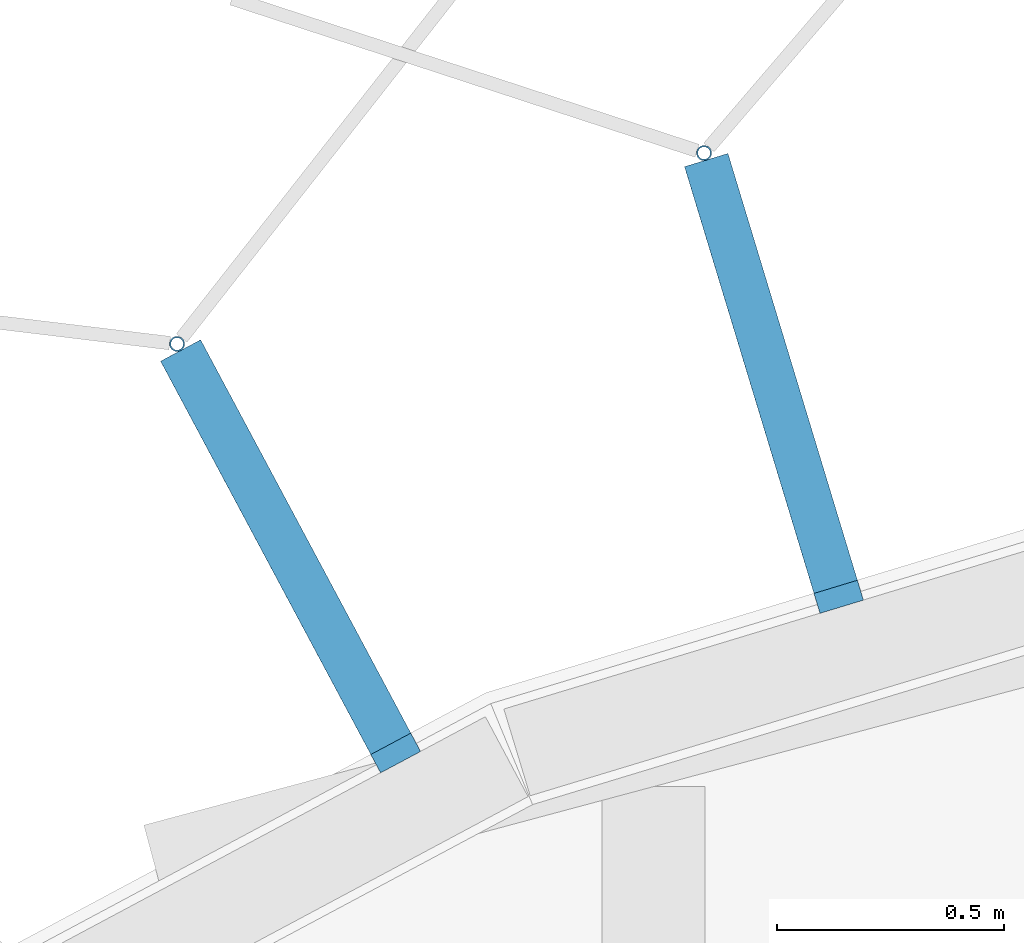
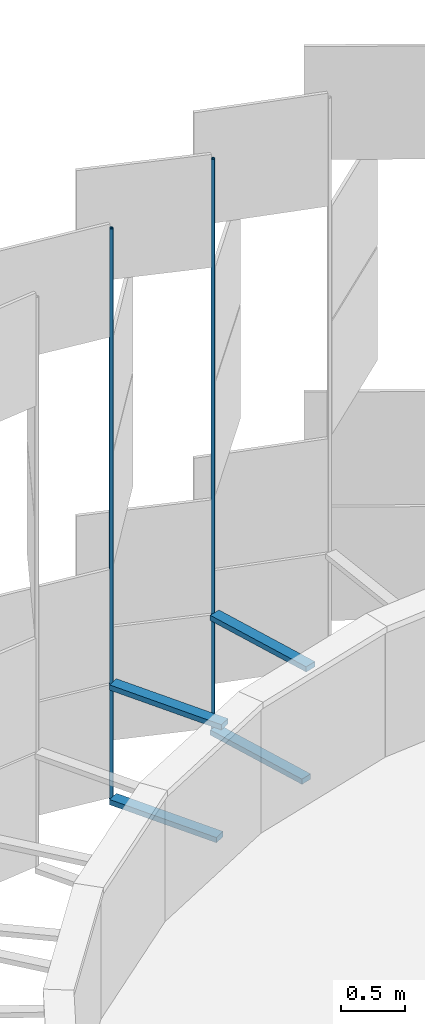
# One storey, part 332 of 483: 6 discrete accessories.
"""IFC4 building model written with IfcOpenShell, lengths in metres."""

from ifc_helpers import new_model, si_unit, direction, frame, origin, origin_2d, place, context, subcontext, project, spatial, rectangle, hollow_circle, extrude, material, material_profile, profile_set, type_object, element, save


model = new_model("IFC4")

# Units and contexts
model_context = context("Model", 3, precision=1e-05, world=origin(), true_north=direction((0.0, 1.0)))
body_context = subcontext(model_context, "Body", "Model", "MODEL_VIEW")
ifc_project = project(units=[si_unit("LENGTHUNIT", "METRE"), si_unit("AREAUNIT", "SQUARE_METRE"), si_unit("VOLUMEUNIT", "CUBIC_METRE"), si_unit("PLANEANGLEUNIT", "RADIAN"), si_unit("MASSUNIT", "GRAM", prefix="KILO")], contexts=[model_context])

# Site, building, storey
site_placement = place(None, origin())
site = spatial("IfcSite", under=ifc_project, at=site_placement, CompositionType="ELEMENT")
building_placement = place(site_placement, origin())
building = spatial("IfcBuilding", under=site, at=building_placement, Name="Parallax Yard Mobility Hub", CompositionType="ELEMENT")
storey_placement = place(building_placement, frame((0.0, 0.0, 13.199951171875)))
storey = spatial("IfcBuildingStorey", under=building, at=storey_placement, Name="L04", CompositionType="ELEMENT", Elevation=13.199951171875)

# Discrete accessories
ifc_material_1 = material(Name="Steel ASTM A36, hot-dip galvanised", Category="steel")
discrete_accessory_type_1 = type_object("IfcDiscreteAccessoryType", Name="Hinge bracket plate 100x50", PredefinedType="BRACKET", material=ifc_material_1)
discrete_accessory_1_placement = place(storey_placement, frame((27.75927734375, 142.6337890625, -0.02490234375), z_axis=(0.0, 0.0, 1.0), x_axis=(-0.290284677254, 0.956940335732, 0.0)))
element("IfcDiscreteAccessory", 1, at=discrete_accessory_1_placement, inside=storey, type_object=discrete_accessory_type_1, Name="Hinge bracket plate bay 70.3 level L04", PredefinedType="BRACKET", context=body_context, shape_type="SweptSolid", body=[
    extrude(rectangle(XDim=0.984130859375, YDim=0.10009765625, at=origin_2d()), origin(), (0.0, 0.0, 1.0), 0.050048828125),
])
discrete_accessory_2_placement = place(storey_placement, frame((27.765869140625, 142.61181640625, 1.06982421875), z_axis=(0.0, 0.0, 1.0), x_axis=(-0.290284677254, 0.956940335732, 0.0)))
element("IfcDiscreteAccessory", 2, at=discrete_accessory_2_placement, inside=storey, type_object=discrete_accessory_type_1, Name="Hinge bracket plate bay 70.3 level L04", PredefinedType="BRACKET", context=body_context, shape_type="SweptSolid", body=[
    extrude(rectangle(XDim=1.030029296875, YDim=0.10009765625, at=origin_2d()), origin(), (0.0, 0.0, 1.0), 0.050048828125),
])
discrete_accessory_3_placement = place(storey_placement, frame((26.6884765625, 142.25048828125, -0.02490234375), z_axis=(0.0, 0.0, 1.0), x_axis=(-0.471396736826, 0.881921264348, 0.0)))
element("IfcDiscreteAccessory", 3, at=discrete_accessory_3_placement, inside=storey, type_object=discrete_accessory_type_1, Name="Hinge bracket plate bay 70.4 level L04", PredefinedType="BRACKET", context=body_context, shape_type="SweptSolid", body=[
    extrude(rectangle(XDim=0.984130859375, YDim=0.10009765625, at=origin_2d()), origin(), (0.0, 0.0, 1.0), 0.050048828125),
])
discrete_accessory_4_placement = place(storey_placement, frame((26.69921875, 142.230224609375, 1.06982421875), z_axis=(0.0, 0.0, 1.0), x_axis=(-0.471396736826, 0.881921264348, 0.0)))
element("IfcDiscreteAccessory", 4, at=discrete_accessory_4_placement, inside=storey, type_object=discrete_accessory_type_1, Name="Hinge bracket plate bay 70.4 level L04", PredefinedType="BRACKET", context=body_context, shape_type="SweptSolid", body=[
    extrude(rectangle(XDim=1.030029296875, YDim=0.10009765625, at=origin_2d()), origin(), (0.0, 0.0, 1.0), 0.050048828125),
])
ifc_material_2 = material(Name="Steel ASTM A500 Gr C, hot-dip galvanised", Category="steel")
ifc_material_profile = material_profile(ifc_material_2, hollow_circle(Radius=0.016845703125, WallThickness=0.003173828125, at=origin_2d()), Name="CHS 33.7x3.2")
ifc_profile_set = profile_set([ifc_material_profile], Name="Steel ASTM A500 Gr C, hot-dip galvanised")
discrete_accessory_type_2 = type_object("IfcDiscreteAccessoryType", Name="Hinge post CHS 33.7x3.2", PredefinedType="BRACKET", material=ifc_profile_set)
for number, where, z_axis, x_axis, name in (
    (5, (27.611572265625, 143.1201171875, 0.0), (0.0, 0.0, 1.0), (1.0, 0.0, 0.0), "Hinge post bay 70.3 level L04"),
    (6, (26.44873046875, 142.698974609375, 0.0), (0.0, 0.0, 1.0), (1.0, 0.0, 0.0), "Hinge post bay 70.4 level L04"),
):
    element("IfcDiscreteAccessory", number, at=place(storey_placement, frame(where, z_axis=z_axis, x_axis=x_axis)), inside=storey, type_object=discrete_accessory_type_2, Name=name, PredefinedType="BRACKET", context=body_context, shape_type="SweptSolid", body=[
        extrude(hollow_circle(Radius=0.016845703125, WallThickness=0.003173828125, at=origin_2d()), origin(), (0.0, 0.0, 1.0), 5.449951171875),
    ])

save(model, "model.ifc")
